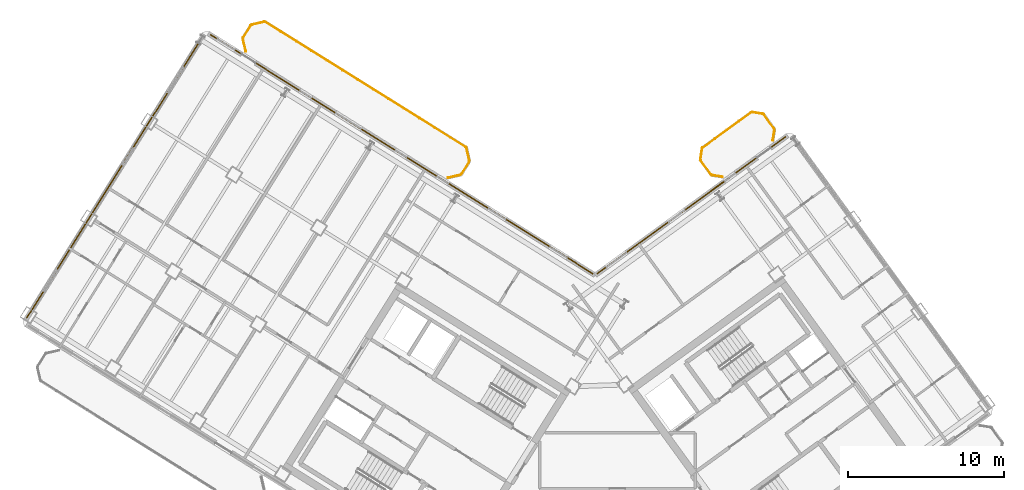
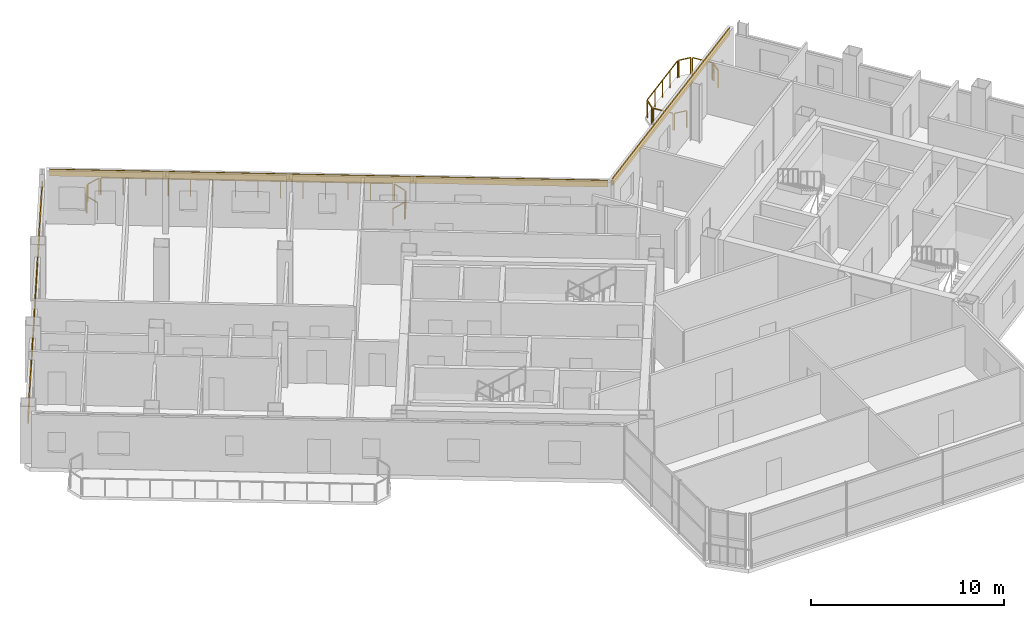
# One storey, part 21 of 21: 14 railings, 3 coverings.
"""IFC4 building model written with IfcOpenShell, lengths in metres."""

from ifc_helpers import new_model, si_unit, direction, frame, origin, origin_2d, place, context, subcontext, project, spatial, rectangle, extrude, source, transform, mapped, material, layer, layer_set, type_object, element, save


model = new_model("IFC4")

# Units and contexts
model_context = context("Model", 3, precision=1e-05, world=origin(), true_north=direction((0.0, 1.0)))
body_context = subcontext(model_context, "Body", "Model", "MODEL_VIEW")
ifc_project = project(units=[si_unit("LENGTHUNIT", "METRE"), si_unit("AREAUNIT", "SQUARE_METRE"), si_unit("VOLUMEUNIT", "CUBIC_METRE"), si_unit("PLANEANGLEUNIT", "RADIAN"), si_unit("MASSUNIT", "GRAM", prefix="KILO")], contexts=[model_context])

# Site, building, storey
site_placement = place(None, origin())
site = spatial("IfcSite", under=ifc_project, at=site_placement, CompositionType="ELEMENT")
building_placement = place(site_placement, origin())
building = spatial("IfcBuilding", under=site, at=building_placement, Name="Tlacorven Tower", CompositionType="ELEMENT")
storey_placement = place(building_placement, frame((0.0, 0.0, 207.60009765625)))
storey = spatial("IfcBuildingStorey", under=building, at=storey_placement, Name="L52", CompositionType="ELEMENT", Elevation=207.60009765625)

# Railings
ifc_material_1 = material(Name="Aluminium and painted steel balustrade", Category="steel")
railing_type = type_object("IfcRailingType", Name="RL-BAL-1100", PredefinedType="BALUSTRADE", material=ifc_material_1)
shared_shape_1 = source(origin(), body_context, "Body", "SweptSolid", [
    extrude(rectangle(XDim=0.048095703125, YDim=0.048095703125, at=origin_2d()), frame((0.0, 0.0, 1.076171875), z_axis=(0.974345290916, 0.225058334816, 0.0), x_axis=(-0.225058334816, 0.974345290916, 0.0)), (0.0, 0.0, 1.0), 0.80712890625),
    extrude(rectangle(XDim=0.0419921875, YDim=0.0419921875, at=origin_2d()), origin(), (0.0, 0.0, 1.0), 1.052001953125),
    extrude(rectangle(XDim=0.0419921875, YDim=0.0419921875, at=origin_2d()), frame((0.786376953125, 0.181640625, 0.0)), (0.0, 0.0, 1.0), 1.052001953125),
])
railing_1_placement = place(storey_placement, frame((20.2138671875, 47.643798828125, 0.0)))
element("IfcRailing", 1, at=railing_1_placement, inside=storey, type_object=railing_type, Name="BAL-L52-W-IN Guard Railing 6", PredefinedType="BALUSTRADE", context=body_context, shape_type="MappedRepresentation", body=[
    mapped(shared_shape_1, transform((0.0, 0.0, 0.0), scale=1.0)),
])
shared_shape_2 = source(origin(), body_context, "Body", "SweptSolid", [
    extrude(rectangle(XDim=0.048095703125, YDim=0.048095703125, at=origin_2d()), frame((0.0, 0.0, 1.076171875), z_axis=(-0.987661653326, 0.156602868908, 0.0), x_axis=(-0.156602868908, -0.987661653326, 0.0)), (0.0, 0.0, 1.0), 0.665771484375),
    extrude(rectangle(XDim=0.0419921875, YDim=0.0419921875, at=origin_2d()), origin(), (0.0, 0.0, 1.0), 1.052001953125),
    extrude(rectangle(XDim=0.0419921875, YDim=0.0419921875, at=origin_2d()), frame((-0.657470703125, 0.104248046875, 0.0)), (0.0, 0.0, 1.0), 1.052001953125),
])
railing_2_placement = place(storey_placement, frame((50.359130859375, 37.891845703125, 0.0)))
element("IfcRailing", 2, at=railing_2_placement, inside=storey, type_object=railing_type, Name="BAL-L52-E-IN Guard Railing 1", PredefinedType="BALUSTRADE", context=body_context, shape_type="MappedRepresentation", body=[
    mapped(shared_shape_2, transform((0.0, 0.0, 0.0), scale=1.0)),
])
shared_shape_3 = source(origin(), body_context, "Body", "SweptSolid", [
    extrude(rectangle(XDim=0.048095703125, YDim=0.048095703125, at=origin_2d()), frame((0.0, 0.0, 1.076171875), z_axis=(0.156602868908, 0.987661653326, 0.0), x_axis=(-0.987661653326, 0.156602868908, 0.0)), (0.0, 0.0, 1.0), 0.665771484375),
    extrude(rectangle(XDim=0.0419921875, YDim=0.0419921875, at=origin_2d()), origin(), (0.0, 0.0, 1.0), 1.052001953125),
    extrude(rectangle(XDim=0.0419921875, YDim=0.0419921875, at=origin_2d()), frame((0.104248046875, 0.657470703125, 0.0)), (0.0, 0.0, 1.0), 1.052001953125),
])
railing_3_placement = place(storey_placement, frame((48.947509765625, 39.033935546875, 0.0)))
element("IfcRailing", 3, at=railing_3_placement, inside=storey, type_object=railing_type, Name="BAL-L52-E-IN Guard Railing 3", PredefinedType="BALUSTRADE", context=body_context, shape_type="MappedRepresentation", body=[
    mapped(shared_shape_3, transform((0.0, 0.0, 0.0), scale=1.0)),
])
shared_shape_4 = source(origin(), body_context, "Body", "SweptSolid", [
    extrude(rectangle(XDim=0.048095703125, YDim=0.048095703125, at=origin_2d()), frame((0.0, 0.0, 1.076171875), z_axis=(-0.156245081039, -0.987718317463, 0.0), x_axis=(0.987718317463, -0.156245081039, 0.0)), (0.0, 0.0, 1.0), 0.66552734375),
    extrude(rectangle(XDim=0.0419921875, YDim=0.0419921875, at=origin_2d()), origin(), (0.0, 0.0, 1.0), 1.052001953125),
    extrude(rectangle(XDim=0.0419921875, YDim=0.0419921875, at=origin_2d()), frame((-0.10400390625, -0.657470703125, 0.0)), (0.0, 0.0, 1.0), 1.052001953125),
])
railing_4_placement = place(storey_placement, frame((53.689453125, 40.893310546875, 0.0)))
element("IfcRailing", 4, at=railing_4_placement, inside=storey, type_object=railing_type, Name="BAL-L52-E-IN Guard Railing 7", PredefinedType="BALUSTRADE", context=body_context, shape_type="MappedRepresentation", body=[
    mapped(shared_shape_4, transform((0.0, 0.0, 0.0), scale=1.0)),
])

# Covering
ifc_material_2 = material(Name="Precast concrete C45/55", Category="concrete")
ifc_layer = layer(ifc_material_2, 0.06005859375)
ifc_layer_set = layer_set([ifc_layer], Name="Precast concrete C45/55")
covering_type = type_object("IfcCoveringType", Name="CV-CLD-TERC", PredefinedType="CLADDING", material=ifc_layer_set)
shared_shape_5 = source(origin(), body_context, "Body", "SweptSolid", [
    extrude(rectangle(XDim=21.287353515625, YDim=0.06005859375, at=origin_2d()), origin(), (0.0, 0.0, 1.0), 0.419921875),
])
covering_1_placement = place(storey_placement, frame((11.419677734375, 37.864013671875, 2.405029296875), z_axis=(0.0, 0.0, 1.0), x_axis=(0.529919147866, 0.848048168871, 0.0)))
element("IfcCovering", 5, at=covering_1_placement, inside=storey, type_object=covering_type, Name="L52 Masonry-Frame Spandrel Cladding 2", PredefinedType="CLADDING", context=body_context, shape_type="MappedRepresentation", body=[
    mapped(shared_shape_5, transform((0.0, 0.0, 0.0), scale=1.0)),
])

# Railings
shared_shape_6 = source(origin(), body_context, "Body", "SweptSolid", [
    extrude(rectangle(XDim=0.048095703125, YDim=0.048095703125, at=origin_2d()), frame((0.0, 0.0, 1.076171875), z_axis=(0.529998940003, 0.847998304005, 0.0), x_axis=(-0.847998304005, 0.529998940003, 0.0)), (0.0, 0.0, 1.0), 0.912109375),
    extrude(rectangle(XDim=0.0419921875, YDim=0.0419921875, at=origin_2d()), origin(), (0.0, 0.0, 1.0), 1.052001953125),
    extrude(rectangle(XDim=0.0419921875, YDim=0.0419921875, at=origin_2d()), frame((0.4833984375, 0.7734375, 0.0)), (0.0, 0.0, 1.0), 1.052001953125),
])
railing_5_placement = place(storey_placement, frame((19.6552734375, 46.816650390625, 0.0)))
element("IfcRailing", 6, at=railing_5_placement, inside=storey, type_object=railing_type, Name="BAL-L52-W-IN Guard Railing 5", PredefinedType="BALUSTRADE", context=body_context, shape_type="MappedRepresentation", body=[
    mapped(shared_shape_6, transform((0.0, 0.0, 0.0), scale=1.0)),
])
shared_shape_7 = source(origin(), body_context, "Body", "SweptSolid", [
    extrude(rectangle(XDim=0.048095703125, YDim=0.048095703125, at=origin_2d()), frame((0.0, 0.0, 1.076171875), z_axis=(0.224992020761, -0.974360606036, 0.0), x_axis=(0.974360606036, 0.224992020761, 0.0)), (0.0, 0.0, 1.0), 0.807373046875),
    extrude(rectangle(XDim=0.0419921875, YDim=0.0419921875, at=origin_2d()), origin(), (0.0, 0.0, 1.0), 1.052001953125),
    extrude(rectangle(XDim=0.0419921875, YDim=0.0419921875, at=origin_2d()), frame((0.181640625, -0.78662109375, 0.0)), (0.0, 0.0, 1.0), 1.052001953125),
])
railing_6_placement = place(storey_placement, frame((33.965087890625, 39.72412109375, 0.0)))
element("IfcRailing", 7, at=railing_6_placement, inside=storey, type_object=railing_type, Name="BAL-L52-W-IN Guard Railing 1", PredefinedType="BALUSTRADE", context=body_context, shape_type="MappedRepresentation", body=[
    mapped(shared_shape_7, transform((0.0, 0.0, 0.0), scale=1.0)),
])
shared_shape_8 = source(origin(), body_context, "Body", "SweptSolid", [
    extrude(rectangle(XDim=0.048095703125, YDim=0.048095703125, at=origin_2d()), frame((0.0, 0.0, 1.076171875), z_axis=(-0.529998940003, -0.847998304005, 0.0), x_axis=(0.847998304005, -0.529998940003, 0.0)), (0.0, 0.0, 1.0), 0.912109375),
    extrude(rectangle(XDim=0.0419921875, YDim=0.0419921875, at=origin_2d()), origin(), (0.0, 0.0, 1.0), 1.052001953125),
    extrude(rectangle(XDim=0.0419921875, YDim=0.0419921875, at=origin_2d()), frame((-0.4833984375, -0.7734375, 0.0)), (0.0, 0.0, 1.0), 1.052001953125),
])
railing_7_placement = place(storey_placement, frame((34.131591796875, 38.846435546875, 0.0)))
element("IfcRailing", 8, at=railing_7_placement, inside=storey, type_object=railing_type, Name="BAL-L52-W-IN Guard Railing 2", PredefinedType="BALUSTRADE", context=body_context, shape_type="MappedRepresentation", body=[
    mapped(shared_shape_8, transform((0.0, 0.0, 0.0), scale=1.0)),
])
shared_shape_9 = source(origin(), body_context, "Body", "SweptSolid", [
    extrude(rectangle(XDim=0.048095703125, YDim=0.048095703125, at=origin_2d()), frame((0.0, 0.0, 1.076171875), z_axis=(-0.974360606036, -0.224992020761, 0.0), x_axis=(0.224992020761, -0.974360606036, 0.0)), (0.0, 0.0, 1.0), 0.807373046875),
    extrude(rectangle(XDim=0.0419921875, YDim=0.0419921875, at=origin_2d()), origin(), (0.0, 0.0, 1.0), 1.052001953125),
    extrude(rectangle(XDim=0.0419921875, YDim=0.0419921875, at=origin_2d()), frame((-0.78662109375, -0.181640625, 0.0)), (0.0, 0.0, 1.0), 1.052001953125),
])
railing_8_placement = place(storey_placement, frame((33.572998046875, 38.019287109375, 0.0)))
element("IfcRailing", 9, at=railing_8_placement, inside=storey, type_object=railing_type, Name="BAL-L52-W-IN Guard Railing 3", PredefinedType="BALUSTRADE", context=body_context, shape_type="MappedRepresentation", body=[
    mapped(shared_shape_9, transform((0.0, 0.0, 0.0), scale=1.0)),
])
shared_shape_10 = source(origin(), body_context, "Body", "SweptSolid", [
    extrude(rectangle(XDim=0.048095703125, YDim=0.048095703125, at=origin_2d()), frame((0.0, 0.0, 1.076171875), z_axis=(-0.22470489119, 0.974426863277, 0.0), x_axis=(-0.974426863277, -0.22470489119, 0.0)), (0.0, 0.0, 1.0), 0.807373046875),
    extrude(rectangle(XDim=0.0419921875, YDim=0.0419921875, at=origin_2d()), origin(), (0.0, 0.0, 1.0), 1.052001953125),
    extrude(rectangle(XDim=0.0419921875, YDim=0.0419921875, at=origin_2d()), frame((-0.181396484375, 0.78662109375, 0.0)), (0.0, 0.0, 1.0), 1.052001953125),
])
railing_9_placement = place(storey_placement, frame((19.821533203125, 45.93896484375, 0.0)))
element("IfcRailing", 10, at=railing_9_placement, inside=storey, type_object=railing_type, Name="BAL-L52-W-IN Guard Railing 4", PredefinedType="BALUSTRADE", context=body_context, shape_type="MappedRepresentation", body=[
    mapped(shared_shape_10, transform((0.0, 0.0, 0.0), scale=1.0)),
])
shared_shape_11 = source(origin(), body_context, "Body", "SweptSolid", [
    extrude(rectangle(XDim=0.048095703125, YDim=0.048095703125, at=origin_2d()), frame((0.0, 0.0, 1.076171875), z_axis=(0.848051830527, -0.529913287944, 0.0), x_axis=(0.529913287944, 0.848051830527, 0.0)), (0.0, 0.0, 1.0), 15.1171875),
    extrude(rectangle(XDim=0.0419921875, YDim=0.0419921875, at=origin_2d()), origin(), (0.0, 0.0, 1.0), 1.052001953125),
    extrude(rectangle(XDim=0.0419921875, YDim=0.0419921875, at=origin_2d()), frame((0.986083984375, -0.6162109375, 0.0)), (0.0, 0.0, 1.0), 1.052001953125),
    extrude(rectangle(XDim=0.0419921875, YDim=0.0419921875, at=origin_2d()), frame((1.972412109375, -1.232421875, 0.0)), (0.0, 0.0, 1.0), 1.052001953125),
    extrude(rectangle(XDim=0.0419921875, YDim=0.0419921875, at=origin_2d()), frame((2.95849609375, -1.8486328125, 0.0)), (0.0, 0.0, 1.0), 1.052001953125),
    extrude(rectangle(XDim=0.0419921875, YDim=0.0419921875, at=origin_2d()), frame((3.944580078125, -2.46484375, 0.0)), (0.0, 0.0, 1.0), 1.052001953125),
    extrude(rectangle(XDim=0.0419921875, YDim=0.0419921875, at=origin_2d()), frame((4.930908203125, -3.0810546875, 0.0)), (0.0, 0.0, 1.0), 1.052001953125),
    extrude(rectangle(XDim=0.0419921875, YDim=0.0419921875, at=origin_2d()), frame((5.9169921875, -3.697265625, 0.0)), (0.0, 0.0, 1.0), 1.052001953125),
    extrude(rectangle(XDim=0.0419921875, YDim=0.0419921875, at=origin_2d()), frame((6.903076171875, -4.3134765625, 0.0)), (0.0, 0.0, 1.0), 1.052001953125),
    extrude(rectangle(XDim=0.0419921875, YDim=0.0419921875, at=origin_2d()), frame((7.88916015625, -4.9296875, 0.0)), (0.0, 0.0, 1.0), 1.052001953125),
    extrude(rectangle(XDim=0.0419921875, YDim=0.0419921875, at=origin_2d()), frame((8.87548828125, -5.5458984375, 0.0)), (0.0, 0.0, 1.0), 1.052001953125),
    extrude(rectangle(XDim=0.0419921875, YDim=0.0419921875, at=origin_2d()), frame((9.861572265625, -6.162109375, 0.0)), (0.0, 0.0, 1.0), 1.052001953125),
    extrude(rectangle(XDim=0.0419921875, YDim=0.0419921875, at=origin_2d()), frame((10.84765625, -6.7783203125, 0.0)), (0.0, 0.0, 1.0), 1.052001953125),
    extrude(rectangle(XDim=0.0419921875, YDim=0.0419921875, at=origin_2d()), frame((11.833984375, -7.39453125, 0.0)), (0.0, 0.0, 1.0), 1.052001953125),
    extrude(rectangle(XDim=0.0419921875, YDim=0.0419921875, at=origin_2d()), frame((12.820068359375, -8.0107421875, 0.0)), (0.0, 0.0, 1.0), 1.052001953125),
])
railing_10_placement = place(storey_placement, frame((21.091552734375, 47.81005859375, 0.0)))
element("IfcRailing", 11, at=railing_10_placement, inside=storey, type_object=railing_type, Name="BAL-L52-W-IN Guard Railing 7", PredefinedType="BALUSTRADE", context=body_context, shape_type="MappedRepresentation", body=[
    mapped(shared_shape_11, transform((0.0, 0.0, 0.0), scale=1.0)),
])
shared_shape_12 = source(origin(), body_context, "Body", "SweptSolid", [
    extrude(rectangle(XDim=0.048095703125, YDim=0.048095703125, at=origin_2d()), frame((0.0, 0.0, 1.076171875), z_axis=(-0.587636431696, 0.809125097957, 0.0), x_axis=(-0.809125097957, -0.587636431696, 0.0)), (0.0, 0.0, 1.0), 1.1123046875),
    extrude(rectangle(XDim=0.0419921875, YDim=0.0419921875, at=origin_2d()), origin(), (0.0, 0.0, 1.0), 1.052001953125),
    extrude(rectangle(XDim=0.0419921875, YDim=0.0419921875, at=origin_2d()), frame((-0.653564453125, 0.89990234375, 0.0)), (0.0, 0.0, 1.0), 1.052001953125),
])
railing_11_placement = place(storey_placement, frame((49.622802734375, 38.044189453125, 0.0)))
element("IfcRailing", 12, at=railing_11_placement, inside=storey, type_object=railing_type, Name="BAL-L52-E-IN Guard Railing 2", PredefinedType="BALUSTRADE", context=body_context, shape_type="MappedRepresentation", body=[
    mapped(shared_shape_12, transform((0.0, 0.0, 0.0), scale=1.0)),
])
shared_shape_13 = source(origin(), body_context, "Body", "SweptSolid", [
    extrude(rectangle(XDim=0.048095703125, YDim=0.048095703125, at=origin_2d()), frame((0.0, 0.0, 1.076171875), z_axis=(0.809018102573, 0.587783726986, 0.0), x_axis=(-0.587783726986, 0.809018102573, 0.0)), (0.0, 0.0, 1.0), 3.817138671875),
    extrude(rectangle(XDim=0.0419921875, YDim=0.0419921875, at=origin_2d()), origin(), (0.0, 0.0, 1.0), 1.052001953125),
    extrude(rectangle(XDim=0.0419921875, YDim=0.0419921875, at=origin_2d()), frame((0.77197265625, 0.56103515625, 0.0)), (0.0, 0.0, 1.0), 1.052001953125),
    extrude(rectangle(XDim=0.0419921875, YDim=0.0419921875, at=origin_2d()), frame((1.5439453125, 1.121826171875, 0.0)), (0.0, 0.0, 1.0), 1.052001953125),
    extrude(rectangle(XDim=0.0419921875, YDim=0.0419921875, at=origin_2d()), frame((2.316162109375, 1.6826171875, 0.0)), (0.0, 0.0, 1.0), 1.052001953125),
    extrude(rectangle(XDim=0.0419921875, YDim=0.0419921875, at=origin_2d()), frame((3.088134765625, 2.24365234375, 0.0)), (0.0, 0.0, 1.0), 1.052001953125),
])
railing_12_placement = place(storey_placement, frame((49.10009765625, 39.77001953125, 0.0)))
element("IfcRailing", 13, at=railing_12_placement, inside=storey, type_object=railing_type, Name="BAL-L52-E-IN Guard Railing 4", PredefinedType="BALUSTRADE", context=body_context, shape_type="MappedRepresentation", body=[
    mapped(shared_shape_13, transform((0.0, 0.0, 0.0), scale=1.0)),
])
shared_shape_14 = source(origin(), body_context, "Body", "SweptSolid", [
    extrude(rectangle(XDim=0.048095703125, YDim=0.048095703125, at=origin_2d()), frame((0.0, 0.0, 1.076171875), z_axis=(0.987661653326, -0.156602868908, 0.0), x_axis=(0.156602868908, 0.987661653326, 0.0)), (0.0, 0.0, 1.0), 0.665771484375),
    extrude(rectangle(XDim=0.0419921875, YDim=0.0419921875, at=origin_2d()), origin(), (0.0, 0.0, 1.0), 1.052001953125),
    extrude(rectangle(XDim=0.0419921875, YDim=0.0419921875, at=origin_2d()), frame((0.657470703125, -0.104248046875, 0.0)), (0.0, 0.0, 1.0), 1.052001953125),
])
railing_13_placement = place(storey_placement, frame((52.278076171875, 42.035400390625, 0.0)))
element("IfcRailing", 14, at=railing_13_placement, inside=storey, type_object=railing_type, Name="BAL-L52-E-IN Guard Railing 5", PredefinedType="BALUSTRADE", context=body_context, shape_type="MappedRepresentation", body=[
    mapped(shared_shape_14, transform((0.0, 0.0, 0.0), scale=1.0)),
])
shared_shape_15 = source(origin(), body_context, "Body", "SweptSolid", [
    extrude(rectangle(XDim=0.048095703125, YDim=0.048095703125, at=origin_2d()), frame((0.0, 0.0, 1.076171875), z_axis=(0.587780115446, -0.809020726488, 0.0), x_axis=(0.809020726488, 0.587780115446, 0.0)), (0.0, 0.0, 1.0), 1.1123046875),
    extrude(rectangle(XDim=0.0419921875, YDim=0.0419921875, at=origin_2d()), origin(), (0.0, 0.0, 1.0), 1.052001953125),
    extrude(rectangle(XDim=0.0419921875, YDim=0.0419921875, at=origin_2d()), frame((0.65380859375, -0.89990234375, 0.0)), (0.0, 0.0, 1.0), 1.052001953125),
])
railing_14_placement = place(storey_placement, frame((53.01416015625, 41.883056640625, 0.0)))
element("IfcRailing", 15, at=railing_14_placement, inside=storey, type_object=railing_type, Name="BAL-L52-E-IN Guard Railing 6", PredefinedType="BALUSTRADE", context=body_context, shape_type="MappedRepresentation", body=[
    mapped(shared_shape_15, transform((0.0, 0.0, 0.0), scale=1.0)),
])

# Coverings
shared_shape_16 = source(origin(), body_context, "Body", "SweptSolid", [
    extrude(rectangle(XDim=28.923095703125, YDim=0.06005859375, at=origin_2d()), origin(), (0.0, 0.0, 1.0), 0.419921875),
])
covering_2_placement = place(storey_placement, frame((29.815185546875, 39.34033203125, 2.929931640625), z_axis=(0.0, 0.0, 1.0), x_axis=(0.848048220257, -0.52991906563, 0.0)))
element("IfcCovering", 16, at=covering_2_placement, inside=storey, type_object=covering_type, Name="L52 Masonry-Frame Spandrel Cladding 3", PredefinedType="CLADDING", context=body_context, shape_type="MappedRepresentation", body=[
    mapped(shared_shape_16, transform((0.0, 0.0, 0.0), scale=1.0)),
])
shared_shape_17 = source(origin(), body_context, "Body", "SweptSolid", [
    extrude(rectangle(XDim=14.923095703125, YDim=0.06005859375, at=origin_2d()), origin(), (0.0, 0.0, 1.0), 0.419921875),
])
covering_3_placement = place(storey_placement, frame((48.3642578125, 36.0712890625, 2.929931640625), z_axis=(0.0, 0.0, 1.0), x_axis=(0.809016703631, 0.587785652468, 0.0)))
element("IfcCovering", 17, at=covering_3_placement, inside=storey, type_object=covering_type, Name="L52 Masonry-Frame Spandrel Cladding 4", PredefinedType="CLADDING", context=body_context, shape_type="MappedRepresentation", body=[
    mapped(shared_shape_17, transform((0.0, 0.0, 0.0), scale=1.0)),
])

save(model, "model.ifc")
